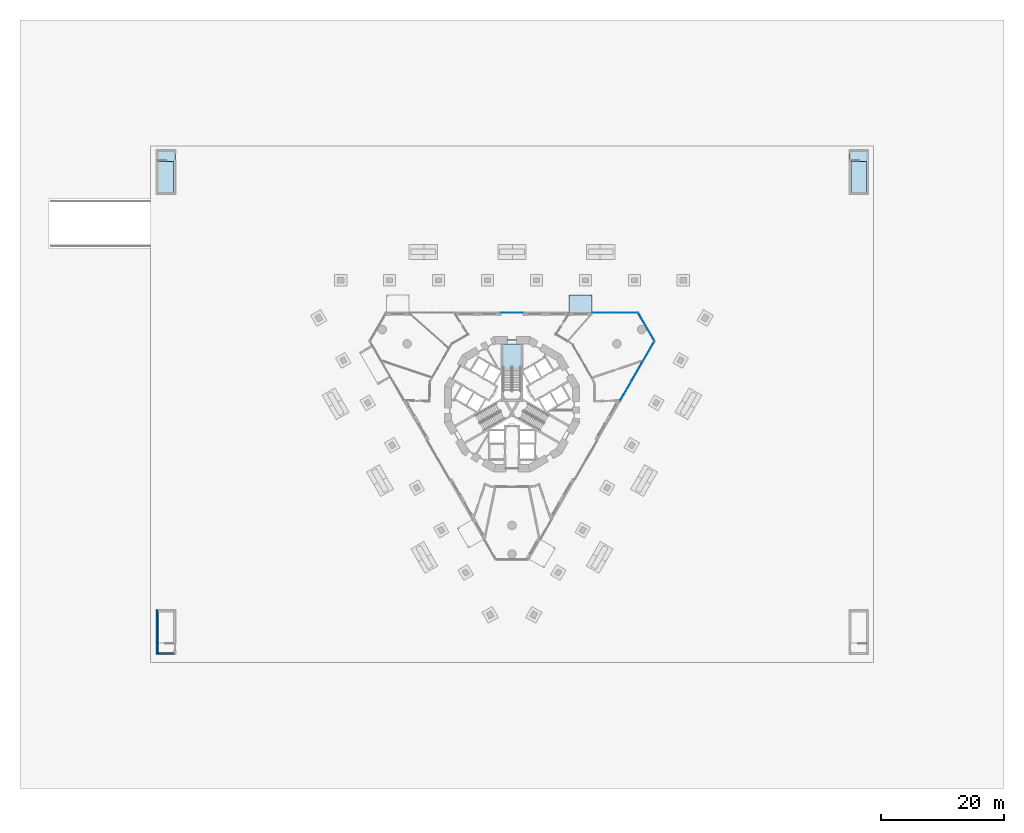
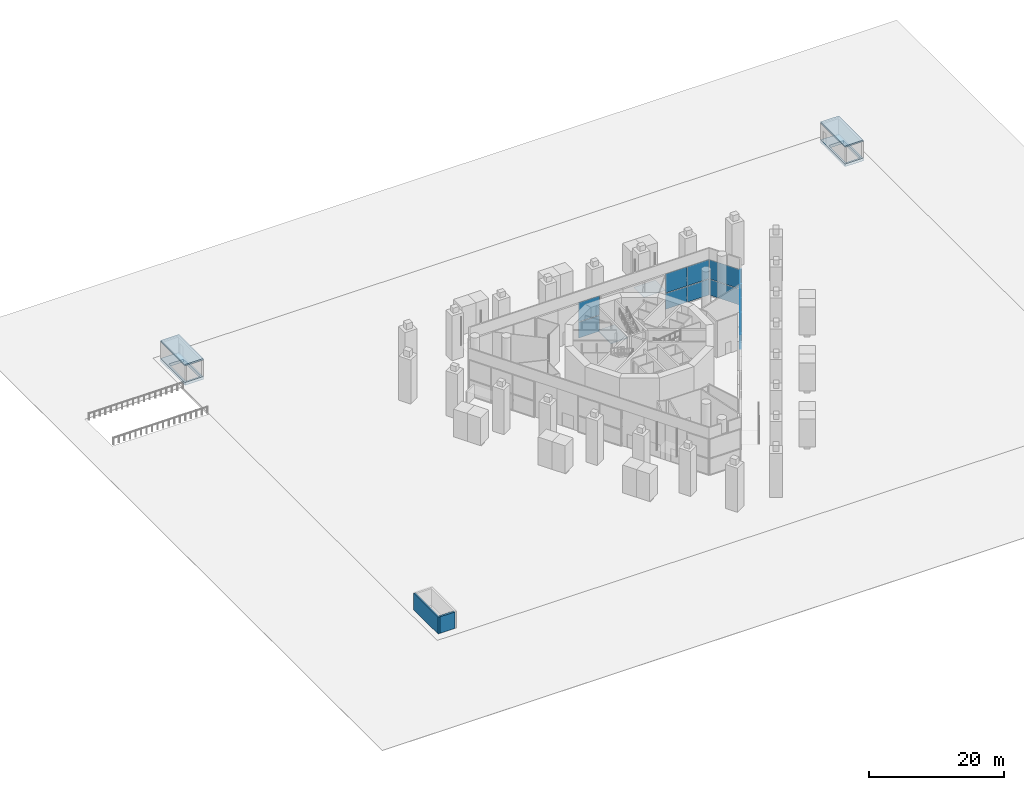
# One storey, part 5 of 26: 15 plates, 5 slabs, 2 walls, 5 elements without a shape of their own.
"""IFC4 building model written with IfcOpenShell, lengths in metres."""

from ifc_helpers import new_model, si_unit, direction, frame, frame_2d, origin, origin_2d, place, context, subcontext, project, spatial, polyline, rectangle, outline, extrude, material, layer, layer_set, type_object, element, aggregate, save


model = new_model("IFC4")

# Units and contexts
model_context = context("Model", 3, precision=1e-05, world=origin(), true_north=direction((0.0, 1.0)))
body_context = subcontext(model_context, "Body", "Model", "MODEL_VIEW")
ifc_project = project(units=[si_unit("LENGTHUNIT", "METRE"), si_unit("AREAUNIT", "SQUARE_METRE"), si_unit("VOLUMEUNIT", "CUBIC_METRE"), si_unit("PLANEANGLEUNIT", "RADIAN"), si_unit("MASSUNIT", "GRAM", prefix="KILO")], contexts=[model_context])

# Site, building, storey
site_placement = place(None, origin())
site = spatial("IfcSite", under=ifc_project, at=site_placement, CompositionType="ELEMENT")
building_placement = place(site_placement, origin())
building = spatial("IfcBuilding", under=site, at=building_placement, Name="Trine Commons Tower", CompositionType="ELEMENT")
storey_placement = place(building_placement, origin())
storey = spatial("IfcBuildingStorey", under=building, at=storey_placement, Name="L00", CompositionType="ELEMENT", Elevation=0.0)

# Plate
ifc_material_1 = material(Name="Laminated glass canopy plate", Category="glass")
ifc_layer_1 = layer(ifc_material_1, 0.030029296875)
ifc_layer_set_1 = layer_set([ifc_layer_1], Name="Laminated glass canopy plate")
plate_type_1 = type_object("IfcPlateType", Name="Entrance canopy glass 30", PredefinedType="SHEET", material=ifc_layer_set_1)
plate_1_placement = place(storey_placement, frame((91.133544921875, 78.78466796875, 3.60009765625), z_axis=(0.0, 0.0, 1.0), x_axis=(1.0, 0.0, 0.0)))
element("IfcPlate", 1, at=plate_1_placement, inside=storey, type_object=plate_type_1, Name="Entrance canopy E1", PredefinedType="SHEET", context=body_context, shape_type="SweptSolid", body=[
    extrude(rectangle(XDim=3.691162109375, YDim=3.0, at=origin_2d()), origin(), (0.0, 0.0, 1.0), 0.030029296875),
])

# Curtain wall, plates
ifc_material_2 = material(Name="Ground pavilion glazing: stainless steel grade 1.4401 (aisi 316) frame with laminated low-iron glass unit", Category="steel")
ifc_layer_2 = layer(ifc_material_2, 0.25)
ifc_layer_set_2 = layer_set([ifc_layer_2], Name="Ground pavilion glazing: stainless steel grade 1.4401 (aisi 316) frame with laminated low-iron glass unit")
curtain_wall_type = type_object("IfcCurtainWallType", Name="Ground pavilion glazing curtain wall CW4", PredefinedType="NOTDEFINED", material=ifc_layer_set_2)
curtain_wall_1_placement = place(storey_placement, origin())
curtain_wall_1 = element("IfcCurtainWall", 2, at=curtain_wall_1_placement, inside=storey, type_object=curtain_wall_type, Name="Pavilion glazing F1.2", PredefinedType="NOTDEFINED")
ifc_material_3 = material(Name="Laminated low-iron glass unit", Category="glass")
ifc_layer_3 = layer(ifc_material_3, 0.035888671875)
ifc_layer_set_3 = layer_set([ifc_layer_3], Name="Laminated low-iron glass unit")
plate_type_2 = type_object("IfcPlateType", Name="Laminated glazed unit 36 mm", PredefinedType="CURTAIN_PANEL", material=ifc_layer_set_3)
plate_2_placement = place(storey_placement, frame((80.0, 77.40966796875, 0.08984375), z_axis=(0.0, 0.0, 1.0), x_axis=(1.0, 0.0, 0.0)))
plate_2 = element("IfcPlate", 3, at=plate_2_placement, type_object=plate_type_2, Name="CW4 panel 1.1", PredefinedType="CURTAIN_PANEL", context=body_context, shape_type="SweptSolid", body=[
    extrude(rectangle(XDim=3.59130859375, YDim=0.035888671875, at=origin_2d()), origin(), (0.0, 0.0, 1.0), 2.864990234375),
])
plate_3_placement = place(storey_placement, frame((80.0, 77.40966796875, 3.044921875), z_axis=(0.0, 0.0, 1.0), x_axis=(1.0, 0.0, 0.0)))
plate_3 = element("IfcPlate", 4, at=plate_3_placement, type_object=plate_type_2, Name="CW4 panel 1.2", PredefinedType="CURTAIN_PANEL", context=body_context, shape_type="SweptSolid", body=[
    extrude(rectangle(XDim=3.59130859375, YDim=0.035888671875, at=origin_2d()), origin(), (0.0, 0.0, 1.0), 3.465087890625),
])
aggregate(curtain_wall_1, [plate_2, plate_3])

curtain_wall_2_placement = place(storey_placement, origin())
curtain_wall_2 = element("IfcCurtainWall", 5, at=curtain_wall_2_placement, inside=storey, type_object=curtain_wall_type, Name="Pavilion glazing F1.3", PredefinedType="NOTDEFINED")
plate_4_placement = place(storey_placement, frame((94.85986328125, 77.40966796875, 0.08984375), z_axis=(0.0, 0.0, 1.0), x_axis=(1.0, 0.0, 0.0)))
plate_4 = element("IfcPlate", 6, at=plate_4_placement, type_object=plate_type_2, Name="CW4 panel 1.1", PredefinedType="CURTAIN_PANEL", context=body_context, shape_type="SweptSolid", body=[
    extrude(rectangle(XDim=3.62109375, YDim=0.035888671875, at=origin_2d()), origin(), (0.0, 0.0, 1.0), 2.864990234375),
])
plate_5_placement = place(storey_placement, frame((94.85986328125, 77.40966796875, 3.044921875), z_axis=(0.0, 0.0, 1.0), x_axis=(1.0, 0.0, 0.0)))
plate_5 = element("IfcPlate", 7, at=plate_5_placement, type_object=plate_type_2, Name="CW4 panel 1.2", PredefinedType="CURTAIN_PANEL", context=body_context, shape_type="SweptSolid", body=[
    extrude(rectangle(XDim=3.62109375, YDim=0.035888671875, at=origin_2d()), origin(), (0.0, 0.0, 1.0), 3.465087890625),
])
plate_6_placement = place(storey_placement, frame((98.576904296875, 77.40966796875, 0.08984375), z_axis=(0.0, 0.0, 1.0), x_axis=(1.0, 0.0, 0.0)))
plate_6 = element("IfcPlate", 8, at=plate_6_placement, type_object=plate_type_2, Name="CW4 panel 2.1", PredefinedType="CURTAIN_PANEL", context=body_context, shape_type="SweptSolid", body=[
    extrude(rectangle(XDim=3.693359375, YDim=0.035888671875, at=origin_2d()), origin(), (0.0, 0.0, 1.0), 2.864990234375),
])
plate_7_placement = place(storey_placement, frame((98.576904296875, 77.40966796875, 3.044921875), z_axis=(0.0, 0.0, 1.0), x_axis=(1.0, 0.0, 0.0)))
plate_7 = element("IfcPlate", 9, at=plate_7_placement, type_object=plate_type_2, Name="CW4 panel 2.2", PredefinedType="CURTAIN_PANEL", context=body_context, shape_type="SweptSolid", body=[
    extrude(rectangle(XDim=3.693359375, YDim=0.035888671875, at=origin_2d()), origin(), (0.0, 0.0, 1.0), 3.465087890625),
])
aggregate(curtain_wall_2, [plate_4, plate_5, plate_6, plate_7])

curtain_wall_3_placement = place(storey_placement, origin())
curtain_wall_3 = element("IfcCurtainWall", 10, at=curtain_wall_3_placement, inside=storey, type_object=curtain_wall_type, Name="Pavilion glazing C2.1", PredefinedType="NOTDEFINED")
plate_8_placement = place(storey_placement, frame((101.81884765625, 75.09716796875, 0.08984375), z_axis=(0.0, 0.0, 1.0), x_axis=(0.5, -0.866025403784, 0.0)))
plate_8 = element("IfcPlate", 11, at=plate_8_placement, type_object=plate_type_2, Name="CW4 panel 1.1", PredefinedType="CURTAIN_PANEL", context=body_context, shape_type="SweptSolid", body=[
    extrude(rectangle(XDim=5.220458984375, YDim=0.035888671875, at=origin_2d()), origin(), (0.0, 0.0, 1.0), 2.864990234375),
])
plate_9_placement = place(storey_placement, frame((101.81884765625, 75.09716796875, 3.044921875), z_axis=(0.0, 0.0, 1.0), x_axis=(0.5, -0.866025403784, 0.0)))
plate_9 = element("IfcPlate", 12, at=plate_9_placement, type_object=plate_type_2, Name="CW4 panel 1.2", PredefinedType="CURTAIN_PANEL", context=body_context, shape_type="SweptSolid", body=[
    extrude(rectangle(XDim=5.220458984375, YDim=0.035888671875, at=origin_2d()), origin(), (0.0, 0.0, 1.0), 3.465087890625),
])
aggregate(curtain_wall_3, [plate_8, plate_9])

curtain_wall_4_placement = place(storey_placement, origin())
curtain_wall_4 = element("IfcCurtainWall", 13, at=curtain_wall_4_placement, inside=storey, type_object=curtain_wall_type, Name="Pavilion glazing F2.1", PredefinedType="NOTDEFINED")
plate_10_placement = place(storey_placement, frame((102.20068359375, 71.13330078125, 0.08984375), z_axis=(0.0, 0.0, 1.0), x_axis=(-0.5, -0.866025403784, 0.0)))
plate_10 = element("IfcPlate", 14, at=plate_10_placement, type_object=plate_type_2, Name="CW4 panel 1.1", PredefinedType="CURTAIN_PANEL", context=body_context, shape_type="SweptSolid", body=[
    extrude(rectangle(XDim=3.693359375, YDim=0.035888671875, at=origin_2d()), origin(), (0.0, 0.0, 1.0), 2.864990234375),
])
plate_11_placement = place(storey_placement, frame((102.20068359375, 71.13330078125, 3.044921875), z_axis=(0.0, 0.0, 1.0), x_axis=(-0.5, -0.866025403784, 0.0)))
plate_11 = element("IfcPlate", 15, at=plate_11_placement, type_object=plate_type_2, Name="CW4 panel 1.2", PredefinedType="CURTAIN_PANEL", context=body_context, shape_type="SweptSolid", body=[
    extrude(rectangle(XDim=3.693359375, YDim=0.035888671875, at=origin_2d()), origin(), (0.0, 0.0, 1.0), 3.465087890625),
])
plate_12_placement = place(storey_placement, frame((100.33447265625, 67.901123046875, 0.08984375), z_axis=(0.0, 0.0, 1.0), x_axis=(-0.5, -0.866025403784, 0.0)))
plate_12 = element("IfcPlate", 16, at=plate_12_placement, type_object=plate_type_2, Name="CW4 panel 2.1", PredefinedType="CURTAIN_PANEL", context=body_context, shape_type="SweptSolid", body=[
    extrude(rectangle(XDim=3.651123046875, YDim=0.035888671875, at=origin_2d()), origin(), (0.0, 0.0, 1.0), 2.864990234375),
])
plate_13_placement = place(storey_placement, frame((100.33447265625, 67.901123046875, 3.044921875), z_axis=(0.0, 0.0, 1.0), x_axis=(-0.5, -0.866025403784, 0.0)))
plate_13 = element("IfcPlate", 17, at=plate_13_placement, type_object=plate_type_2, Name="CW4 panel 2.2", PredefinedType="CURTAIN_PANEL", context=body_context, shape_type="SweptSolid", body=[
    extrude(rectangle(XDim=3.651123046875, YDim=0.035888671875, at=origin_2d()), origin(), (0.0, 0.0, 1.0), 3.465087890625),
])
plate_14_placement = place(storey_placement, frame((98.486328125, 64.7001953125, 0.08984375), z_axis=(0.0, 0.0, 1.0), x_axis=(-0.5, -0.866025403784, 0.0)))
plate_14 = element("IfcPlate", 18, at=plate_14_placement, type_object=plate_type_2, Name="CW4 panel 3.1", PredefinedType="CURTAIN_PANEL", context=body_context, shape_type="SweptSolid", body=[
    extrude(rectangle(XDim=3.62109375, YDim=0.035888671875, at=origin_2d()), origin(), (0.0, 0.0, 1.0), 2.864990234375),
])
plate_15_placement = place(storey_placement, frame((98.486328125, 64.7001953125, 3.044921875), z_axis=(0.0, 0.0, 1.0), x_axis=(-0.5, -0.866025403784, 0.0)))
plate_15 = element("IfcPlate", 19, at=plate_15_placement, type_object=plate_type_2, Name="CW4 panel 3.2", PredefinedType="CURTAIN_PANEL", context=body_context, shape_type="SweptSolid", body=[
    extrude(rectangle(XDim=3.62109375, YDim=0.035888671875, at=origin_2d()), origin(), (0.0, 0.0, 1.0), 3.465087890625),
])
aggregate(curtain_wall_4, [plate_10, plate_11, plate_12, plate_13, plate_14, plate_15])

# Slabs
ifc_material_4 = material(Name="Concrete C50/60", Category="concrete")
ifc_layer_4 = layer(ifc_material_4, 0.5)
ifc_layer_set_4 = layer_set([ifc_layer_4], Name="Concrete C50/60")
slab_type_1 = type_object("IfcSlabType", Name="Stair arrival slab 500 mm, C50/60", PredefinedType="LANDING", material=ifc_layer_set_4)
slab_1_placement = place(storey_placement, frame((0.0, 0.0, -0.5)))
element("IfcSlab", 20, at=slab_1_placement, inside=storey, type_object=slab_type_1, Name="Stair STB3 arrival slab", PredefinedType="LANDING", context=body_context, shape_type="SweptSolid", body=[
    extrude(outline(polyline([(25.300048828125, 103.89990234375), (25.300048828125, 96.679931640625), (22.14990234375, 96.679931640625), (22.14990234375, 103.89990234375), (25.300048828125, 103.89990234375)]), holes=[polyline([(22.449951171875, 96.97998046875), (25.0, 96.97998046875), (25.0, 102.02001953125), (22.449951171875, 102.02001953125), (22.449951171875, 96.97998046875)])]), origin(), (0.0, 0.0, 1.0), 0.5),
])
slab_2_placement = place(storey_placement, frame((0.0, 0.0, -0.5)))
element("IfcSlab", 21, at=slab_2_placement, inside=storey, type_object=slab_type_1, Name="Stair STB4 arrival slab", PredefinedType="LANDING", context=body_context, shape_type="SweptSolid", body=[
    extrude(outline(polyline([(137.949951171875, 103.89990234375), (137.949951171875, 96.679931640625), (134.800048828125, 96.679931640625), (134.800048828125, 103.89990234375), (137.949951171875, 103.89990234375)]), holes=[polyline([(135.10009765625, 96.97998046875), (137.64990234375, 96.97998046875), (137.64990234375, 102.02001953125), (135.10009765625, 102.02001953125), (135.10009765625, 96.97998046875)])]), origin(), (0.0, 0.0, 1.0), 0.5),
])
ifc_layer_5 = layer(ifc_material_4, 0.25)
ifc_layer_set_5 = layer_set([ifc_layer_5], Name="Concrete C50/60")
slab_type_2 = type_object("IfcSlabType", Name="Stair head roof slab 250 mm, C50/60", PredefinedType="ROOF", material=ifc_layer_set_5)
slab_3_placement = place(storey_placement, frame((0.0, 0.0, 3.0)))
element("IfcSlab", 22, at=slab_3_placement, inside=storey, type_object=slab_type_2, Name="Stair STB3 head roof", PredefinedType="ROOF", context=body_context, shape_type="SweptSolid", body=[
    extrude(outline(polyline([(22.14990234375, 103.89990234375), (25.300048828125, 103.89990234375), (25.300048828125, 96.679931640625), (22.14990234375, 96.679931640625), (22.14990234375, 103.89990234375)])), origin(), (0.0, 0.0, 1.0), 0.25),
])
slab_4_placement = place(storey_placement, frame((0.0, 0.0, 3.0)))
element("IfcSlab", 23, at=slab_4_placement, inside=storey, type_object=slab_type_2, Name="Stair STB4 head roof", PredefinedType="ROOF", context=body_context, shape_type="SweptSolid", body=[
    extrude(outline(polyline([(134.800048828125, 103.89990234375), (137.949951171875, 103.89990234375), (137.949951171875, 96.679931640625), (134.800048828125, 96.679931640625), (134.800048828125, 103.89990234375)])), origin(), (0.0, 0.0, 1.0), 0.25),
])

# Stair, slab
stair_type = type_object("IfcStairType", Name="Exit stair, dog-leg, 60 risers of 150 mm", PredefinedType="HALF_TURN_STAIR", material=ifc_material_4)
stair_placement = place(storey_placement, origin())
stair = element("IfcStair", 24, at=stair_placement, inside=storey, type_object=stair_type, Name="L00 Exit stair ST1A", PredefinedType="HALF_TURN_STAIR")
ifc_layer_6 = layer(ifc_material_4, 0.199951171875)
ifc_layer_set_6 = layer_set([ifc_layer_6], Name="Concrete C50/60")
slab_type_3 = type_object("IfcSlabType", Name="Stair landing slab 200 mm, C50/60", PredefinedType="LANDING", material=ifc_layer_set_6)
slab_5_placement = place(storey_placement, frame((0.0, 0.0, 4.300048828125)))
slab_5 = element("IfcSlab", 25, at=slab_5_placement, type_object=slab_type_3, Name="ST1A landing 2", PredefinedType="LANDING", context=body_context, shape_type="SweptSolid", body=[
    extrude(outline(polyline([(78.574951171875, 72.3115234375), (78.574951171875, 68.490478515625), (81.425048828125, 68.490478515625), (81.425048828125, 72.3115234375), (78.574951171875, 72.3115234375)])), origin(), (0.0, 0.0, 1.0), 0.199951171875),
])
aggregate(stair, [slab_5])

# Walls
ifc_material_5 = material(Name="Concrete C40/50", Category="concrete")
ifc_layer_7 = layer(ifc_material_5, 0.300048828125)
ifc_layer_set_7 = layer_set([ifc_layer_7], Name="Concrete C40/50")
wall_type = type_object("IfcWallType", Name="RC stair enclosure wall 300 mm, C40/50", PredefinedType="SHEAR", material=ifc_layer_set_7)
wall_1_placement = place(storey_placement, frame((22.300048828125, 21.85009765625, 0.0), z_axis=(0.0, 0.0, 1.0), x_axis=(0.0, 1.0, 0.0)))
element("IfcWall", 26, at=wall_1_placement, inside=storey, type_object=wall_type, Name="Stair STB1 enclosure wall L00", PredefinedType="SHEAR", context=body_context, shape_type="SweptSolid", body=[
    extrude(rectangle(XDim=7.219970703125, YDim=0.300048828125, at=frame_2d((3.60986328125, 0.0))), origin(), (0.0, 0.0, 1.0), 3.0),
])
wall_2_placement = place(storey_placement, frame((25.0, 22.0, 0.0), z_axis=(0.0, 0.0, 1.0), x_axis=(-1.0, 0.0, 0.0)))
element("IfcWall", 27, at=wall_2_placement, inside=storey, type_object=wall_type, Name="Stair STB1 enclosure wall L00", PredefinedType="SHEAR", context=body_context, shape_type="SweptSolid", body=[
    extrude(rectangle(XDim=2.550048828125, YDim=0.300048828125, at=frame_2d((1.27490234375, 0.0))), origin(), (0.0, 0.0, 1.0), 3.0),
])

save(model, "model.ifc")
